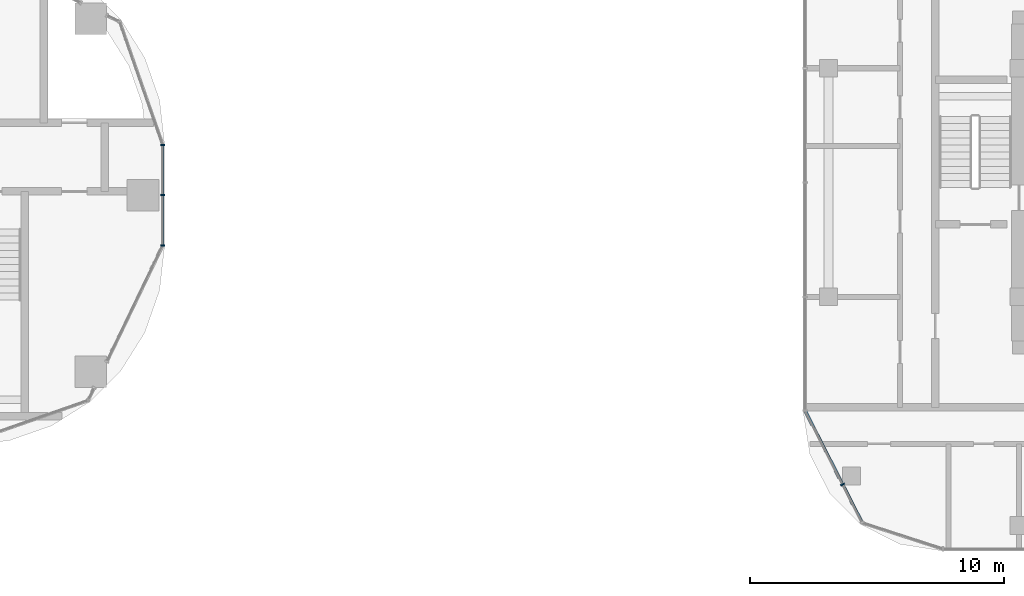
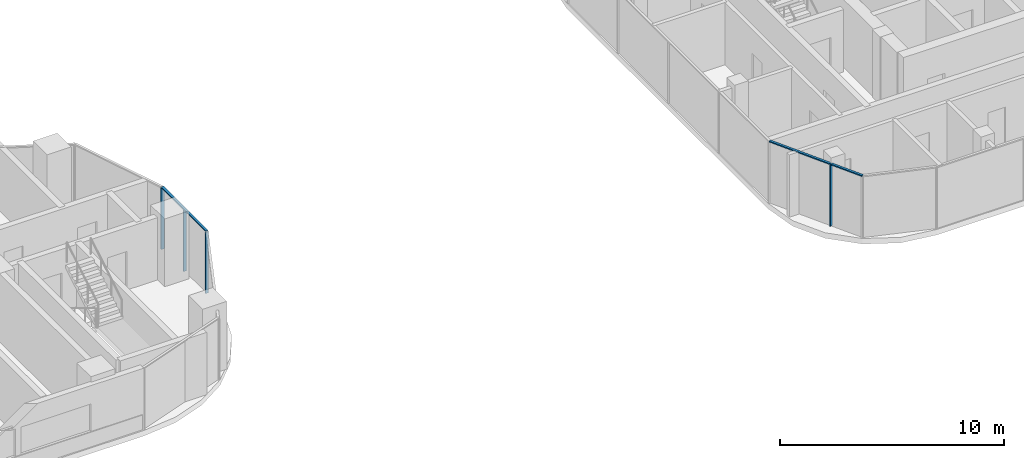
# One storey, part 6 of 35: 7 members, 3 elements without a shape of their own.
"""IFC4 building model written with IfcOpenShell, lengths in metres."""

import ifcopenshell
import ifcopenshell.guid

model = None  # the IFC model being written
_history = None  # IfcOwnerHistory: only IFC2X3 demands one
_inside = {}  # id of a spatial element -> (the spatial element, [elements in it])
_under = {}  # id of a project, library or spatial element -> (it, [spatial elements below it])
_declared = {}  # id of a project -> (the project, [libraries it declares])
_typed = {}  # id of a type object -> (the type object, [elements of that type])
_made_of = {}  # id of a material, layer set ... -> (it, [elements and type objects made of it])


def new_model(schema):
    """Start an empty IFC model of exactly this schema.

    Asked for "IFC4X3", IfcOpenShell would pick the latest addendum, in which some entities
    have other attributes; the version numbers below select the first issue.
    IFC2X3 requires an IfcOwnerHistory on every rooted entity: one is made here for all.
    """
    global model, _history
    if schema == "IFC4X3":
        model = ifcopenshell.file(schema_version=(4, 3, 0, 0))
    else:
        model = ifcopenshell.file(schema=schema)
    _inside.clear()
    _under.clear()
    _declared.clear()
    _typed.clear()
    _made_of.clear()
    _history = None
    if model.schema == "IFC2X3":
        org = make("IfcOrganization", Name="unknown")
        user = make(
            "IfcPersonAndOrganization",
            ThePerson=make("IfcPerson", FamilyName="unknown"),
            TheOrganization=org,
        )
        app = make(
            "IfcApplication",
            ApplicationDeveloper=org,
            Version="unknown",
            ApplicationFullName="unknown",
            ApplicationIdentifier="unknown",
        )
        _history = make(
            "IfcOwnerHistory",
            OwningUser=user,
            OwningApplication=app,
            ChangeAction="ADDED",
            CreationDate=0,
        )
    return model


def make(cls, **values):
    """One entity of the class cls with the attributes given. An attribute that is None is left unset."""
    return model.create_entity(
        cls, **{name: value for name, value in values.items() if value is not None}
    )


def rooted(cls, **values):
    """An entity with a GlobalId (a new one), such as an element, a storey or a relation."""
    return make(cls, GlobalId=ifcopenshell.guid.new(), OwnerHistory=_history, **values)


def si_unit(unit_type, name, prefix=None):
    """IfcSIUnit, for example si_unit("LENGTHUNIT", "METRE", prefix="MILLI")."""
    return make("IfcSIUnit", UnitType=unit_type, Prefix=prefix, Name=name)


def assignment(units):
    """IfcUnitAssignment: the units of a project."""
    return None if units is None else make("IfcUnitAssignment", Units=units)


def point(xyz):
    """IfcCartesianPoint."""
    return None if xyz is None else make("IfcCartesianPoint", Coordinates=xyz)


def direction(xyz):
    """IfcDirection."""
    return None if xyz is None else make("IfcDirection", DirectionRatios=xyz)


def frame(location, z_axis=None, x_axis=None):
    """IfcAxis2Placement3D, a coordinate frame: its origin and axes. An axis left out is left unset."""
    return make(
        "IfcAxis2Placement3D",
        Location=point(location),
        Axis=direction(z_axis),
        RefDirection=direction(x_axis),
    )


def frame_2d(location, x_axis=None):
    """IfcAxis2Placement2D, a coordinate frame in the plane: its origin and x axis."""
    return make(
        "IfcAxis2Placement2D", Location=point(location), RefDirection=direction(x_axis)
    )


def origin():
    """The frame at (0, 0, 0) with its axes left unset."""
    return frame((0.0, 0.0, 0.0))


def origin_2d():
    """The frame at (0, 0) in the plane with its x axis left unset."""
    return frame_2d((0.0, 0.0))


def place(relative_to, where):
    """IfcLocalPlacement: puts the frame where relative to a parent placement (None: the world)."""
    return make(
        "IfcLocalPlacement", PlacementRelTo=relative_to, RelativePlacement=where
    )


def context(
    kind, dimensions, precision=None, world=None, true_north=None, identifier=None
):
    """IfcGeometricRepresentationContext, for example the 3D "Model" context."""
    return make(
        "IfcGeometricRepresentationContext",
        ContextIdentifier=identifier,
        ContextType=kind,
        CoordinateSpaceDimension=dimensions,
        Precision=precision,
        WorldCoordinateSystem=world,
        TrueNorth=true_north,
    )


def subcontext(parent, identifier, kind, view, scale=None):
    """IfcGeometricRepresentationSubContext, for example "Body" below "Model"."""
    return make(
        "IfcGeometricRepresentationSubContext",
        ContextIdentifier=identifier,
        ContextType=kind,
        ParentContext=parent,
        TargetScale=scale,
        TargetView=view,
    )


def project(units=None, contexts=None):
    """IfcProject with its units and contexts."""
    return rooted(
        "IfcProject",
        Name="project",
        RepresentationContexts=contexts,
        UnitsInContext=assignment(units),
    )


def spatial(cls, under=None, at=None, **own):
    """A site, building, storey or space (cls), placed at a placement, below another one or the project."""
    s = rooted(cls, ObjectPlacement=at, **own)
    if under is not None:
        _under.setdefault(under.id(), (under, []))[1].append(s)
    return s


def profile(cls, at=None, kind="AREA", **sizes):
    """A parametric profile (cls). Its sizes go by their IFC names, for example OverallWidth=200.0."""
    return make(cls, ProfileType=kind, Position=at, **sizes)


def rectangle(**sizes):
    """IfcRectangleProfileDef."""
    return profile("IfcRectangleProfileDef", **sizes)


def extrude(swept, where, along, depth):
    """IfcExtrudedAreaSolid: the profile swept, set in the frame where, extruded along a direction by depth."""
    return make(
        "IfcExtrudedAreaSolid",
        SweptArea=swept,
        Position=where,
        ExtrudedDirection=direction(along),
        Depth=depth,
    )


def shape(context_of_items, identifier, shape_type, items):
    """IfcShapeRepresentation: the items that make up one representation, for example the "Body"."""
    return make(
        "IfcShapeRepresentation",
        ContextOfItems=context_of_items,
        RepresentationIdentifier=identifier,
        RepresentationType=shape_type,
        Items=items,
    )


def material(Name=None, Category=None):
    """IfcMaterial."""
    return make("IfcMaterial", Name=Name, Category=Category)


def material_profile(
    of_material, cross_section, Name=None, Category=None, Priority=None
):
    """IfcMaterialProfile: a cross section and its material."""
    return make(
        "IfcMaterialProfile",
        Name=Name,
        Material=of_material,
        Profile=cross_section,
        Priority=Priority,
        Category=Category,
    )


def profile_set(profiles, Name=None, composite=None):
    """IfcMaterialProfileSet."""
    return make(
        "IfcMaterialProfileSet",
        Name=Name,
        MaterialProfiles=profiles,
        CompositeProfile=composite,
    )


def made_of(thing, what):
    """Note that an element or type object is made of a material, layer set ...; save() writes the relation."""
    if what is not None:
        _made_of.setdefault(what.id(), (what, []))[1].append(thing)
    return thing


def type_object(cls, material=None, **own):
    """A type object (cls), such as IfcWallType, which elements share."""
    return made_of(rooted(cls, **own), material)


def element(
    cls,
    number,
    at=None,
    inside=None,
    cuts=None,
    type_object=None,
    material=None,
    context=None,
    identifier="Body",
    shape_type=None,
    held_by="IfcProductDefinitionShape",
    body=None,
    shapes=None,
    **own,
):
    """One element of the class cls, such as IfcWall. Its Tag is "e" and its number.

    at: its placement. inside: the storey or other place that contains it. cuts: it is an
    opening in that element (IfcRelVoidsElement). A single representation is given by context,
    identifier, shape_type and body (its items); several are given by shapes. held_by: the class
    of the entity that holds the representations. save() writes the other relations.
    """
    e = rooted(cls, Tag="e%d" % number, ObjectPlacement=at, **own)
    if body is not None:
        shapes = [shape(context, identifier, shape_type, body)]
    if shapes is not None:
        e.Representation = make(held_by, Representations=shapes)
    if inside is not None:
        _inside.setdefault(inside.id(), (inside, []))[1].append(e)
    if cuts is not None:
        rooted(
            "IfcRelVoidsElement", RelatingBuildingElement=cuts, RelatedOpeningElement=e
        )
    if type_object is not None:
        _typed.setdefault(type_object.id(), (type_object, []))[1].append(e)
    return made_of(e, material)


def aggregate(whole, parts):
    """IfcRelAggregates: a whole, such as a stair, and the parts it consists of."""
    return rooted("IfcRelAggregates", RelatingObject=whole, RelatedObjects=parts)


def save(model, path):
    """Write the relations noted so far, then the file.

    IfcRelAggregates (storeys below a building ...), IfcRelContainedInSpatialStructure (elements
    in a storey), IfcRelDefinesByType, IfcRelAssociatesMaterial and IfcRelDeclares: one each for
    every whole, place, type object, material and project.
    """
    for whole, parts in _under.values():
        aggregate(whole, parts)
    for where, things in _inside.values():
        rooted(
            "IfcRelContainedInSpatialStructure",
            RelatedElements=things,
            RelatingStructure=where,
        )
    for kind, things in _typed.values():
        rooted("IfcRelDefinesByType", RelatedObjects=things, RelatingType=kind)
    for what, things in _made_of.values():
        rooted("IfcRelAssociatesMaterial", RelatedObjects=things, RelatingMaterial=what)
    for by, libraries in _declared.values():
        rooted("IfcRelDeclares", RelatingContext=by, RelatedDefinitions=libraries)
    model.write(path)


model = new_model("IFC4")

# Units and contexts
model_context = context("Model", 3, precision=1e-05, world=origin(), true_north=direction((0.0, 1.0)))
body_context = subcontext(model_context, "Body", "Model", "MODEL_VIEW")
ifc_project = project(units=[si_unit("LENGTHUNIT", "METRE"), si_unit("AREAUNIT", "SQUARE_METRE"), si_unit("VOLUMEUNIT", "CUBIC_METRE"), si_unit("PLANEANGLEUNIT", "RADIAN"), si_unit("MASSUNIT", "GRAM", prefix="KILO")], contexts=[model_context])

# Site, building, storey
site_placement = place(None, origin())
site = spatial("IfcSite", under=ifc_project, at=site_placement, CompositionType="ELEMENT")
building_placement = place(site_placement, origin())
building = spatial("IfcBuilding", under=site, at=building_placement, Name="Ogive Portal Towers", CompositionType="ELEMENT")
storey_placement = place(building_placement, frame((0.0, 0.0, 90.800048828125)))
storey = spatial("IfcBuildingStorey", under=building, at=storey_placement, Name="L21", CompositionType="ELEMENT", Elevation=90.800048828125)

# Curtain wall, members
ifc_material_1 = material(Name="Glass, clear low-iron insulated glazing", Category="glass")
curtain_wall_type_1 = type_object("IfcCurtainWallType", Name="CW FRONT RIBBON 4500", PredefinedType="NOTDEFINED", material=ifc_material_1)
curtain_wall_1_placement = place(storey_placement, origin())
curtain_wall_1 = element("IfcCurtainWall", 1, at=curtain_wall_1_placement, inside=storey, type_object=curtain_wall_type_1, Name="A:L21:f08:cw0", PredefinedType="NOTDEFINED")
ifc_material_2 = material(Name="Aluminium 6063 anodised", Category="aluminium")
ifc_material_profile_1 = material_profile(ifc_material_2, rectangle(XDim=0.159912109375, YDim=0.06005859375, at=origin_2d()), Name="AL 60x160")
ifc_profile_set_1 = profile_set([ifc_material_profile_1], Name="Aluminium 6063 anodised")
member_type_1 = type_object("IfcMemberType", Name="CW MULLION 60x160", PredefinedType="MULLION", material=ifc_profile_set_1)
member_1_placement = place(storey_placement, frame((95.27490234375, 28.518310546875, 0.0), z_axis=(0.0, 0.0, 1.0), x_axis=(-1.0, 0.0, 0.0)))
member_1 = element("IfcMember", 2, at=member_1_placement, type_object=member_type_1, Name="mullion", PredefinedType="MULLION", context=body_context, shape_type="SweptSolid", body=[
    extrude(rectangle(XDim=0.159912109375, YDim=0.06005859375, at=origin_2d()), origin(), (0.0, 0.0, 1.0), 3.33984375),
])
member_2_placement = place(storey_placement, frame((95.27490234375, 30.5, 0.0), z_axis=(0.0, 0.0, 1.0), x_axis=(-1.0, 0.0, 0.0)))
member_2 = element("IfcMember", 3, at=member_2_placement, type_object=member_type_1, Name="mullion", PredefinedType="MULLION", context=body_context, shape_type="SweptSolid", body=[
    extrude(rectangle(XDim=0.159912109375, YDim=0.06005859375, at=origin_2d()), origin(), (0.0, 0.0, 1.0), 3.33984375),
])
member_3_placement = place(storey_placement, frame((95.27490234375, 32.486328125, 0.0), z_axis=(0.0, 0.0, 1.0), x_axis=(-1.0, 0.0, 0.0)))
member_3 = element("IfcMember", 4, at=member_3_placement, type_object=member_type_1, Name="mullion", PredefinedType="MULLION", context=body_context, shape_type="SweptSolid", body=[
    extrude(rectangle(XDim=0.159912109375, YDim=0.06005859375, at=origin_2d()), origin(), (0.0, 0.0, 1.0), 3.33984375),
])

# Curtain wall, member
curtain_wall_type_2 = type_object("IfcCurtainWallType", Name="CW RESIDENCES RIBBON", PredefinedType="NOTDEFINED", material=ifc_material_1)
curtain_wall_2_placement = place(storey_placement, origin())
curtain_wall_2 = element("IfcCurtainWall", 5, at=curtain_wall_2_placement, inside=storey, type_object=curtain_wall_type_2, Name="B:L21:f00:cwa~0", PredefinedType="NOTDEFINED")
member_4_placement = place(storey_placement, frame((122.051025390625, 19.112548828125, 0.0), z_axis=(0.0, 0.0, 1.0), x_axis=(0.891006524188, 0.45399049974, 0.0)))
member_4 = element("IfcMember", 6, at=member_4_placement, type_object=member_type_1, Name="mullion", PredefinedType="MULLION", context=body_context, shape_type="SweptSolid", body=[
    extrude(rectangle(XDim=0.159912109375, YDim=0.06005859375, at=origin_2d()), origin(), (0.0, 0.0, 1.0), 3.33984375),
])

# Member
ifc_material_profile_2 = material_profile(ifc_material_2, rectangle(XDim=0.1201171875, YDim=0.06005859375, at=origin_2d()), Name="AL 120x60")
ifc_profile_set_2 = profile_set([ifc_material_profile_2], Name="Aluminium 6063 anodised")
member_type_2 = type_object("IfcMemberType", Name="CW TRANSOM 60x120", PredefinedType="USERDEFINED", material=ifc_profile_set_2)
member_5_placement = place(storey_placement, frame((95.27490234375, 28.518310546875, 3.369873046875), z_axis=(0.0, 1.0, 0.0), x_axis=(-1.0, 0.0, 0.0)))
member_5 = element("IfcMember", 7, at=member_5_placement, type_object=member_type_2, Name="transom", ObjectType="TRANSOM", PredefinedType="USERDEFINED", context=body_context, shape_type="SweptSolid", body=[
    extrude(rectangle(XDim=0.1201171875, YDim=0.06005859375, at=origin_2d()), origin(), (0.0, 0.0, 1.0), 3.968017578125),
])

aggregate(curtain_wall_1, [member_5, member_1, member_2, member_3])

member_6_placement = place(storey_placement, frame((120.570068359375, 22.019287109375, 3.369873046875), z_axis=(0.453966140065, -0.891018935643, 0.0), x_axis=(0.891018935643, 0.453966140065, 0.0)))
member_6 = element("IfcMember", 8, at=member_6_placement, type_object=member_type_2, Name="transom", ObjectType="TRANSOM", PredefinedType="USERDEFINED", context=body_context, shape_type="SweptSolid", body=[
    extrude(rectangle(XDim=0.1201171875, YDim=0.06005859375, at=origin_2d()), origin(), (0.0, 0.0, 1.0), 3.26220703125),
])

aggregate(curtain_wall_2, [member_6, member_4])

# Curtain wall, member
curtain_wall_3_placement = place(storey_placement, origin())
curtain_wall_3 = element("IfcCurtainWall", 9, at=curtain_wall_3_placement, inside=storey, type_object=curtain_wall_type_2, Name="B:L21:f00:cwa~1", PredefinedType="NOTDEFINED")
member_7_placement = place(storey_placement, frame((122.0615234375, 19.092041015625, 3.369873046875), z_axis=(0.45400264024, -0.89100033819, 0.0), x_axis=(0.89100033819, 0.45400264024, 0.0)))
member_7 = element("IfcMember", 10, at=member_7_placement, type_object=member_type_2, Name="transom", ObjectType="TRANSOM", PredefinedType="USERDEFINED", context=body_context, shape_type="SweptSolid", body=[
    extrude(rectangle(XDim=0.1201171875, YDim=0.06005859375, at=origin_2d()), origin(), (0.0, 0.0, 1.0), 1.66552734375),
])
aggregate(curtain_wall_3, [member_7])

save(model, "model.ifc")
